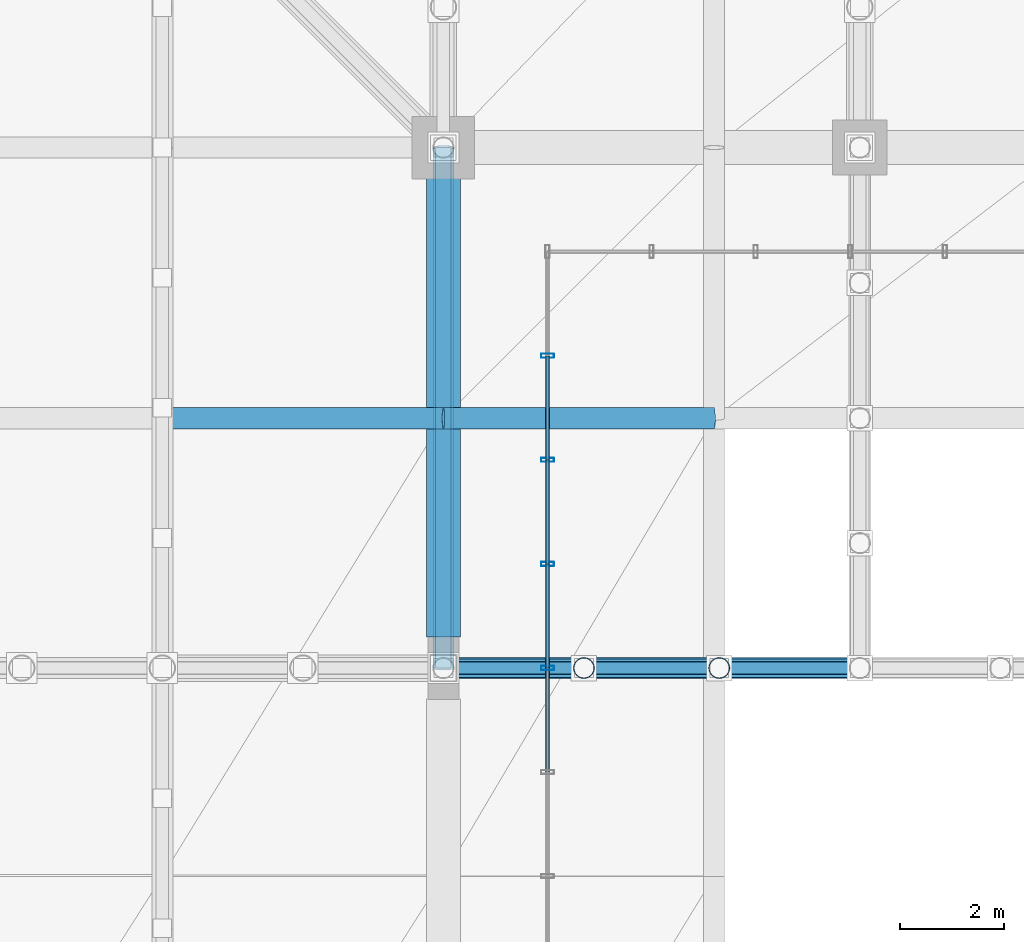
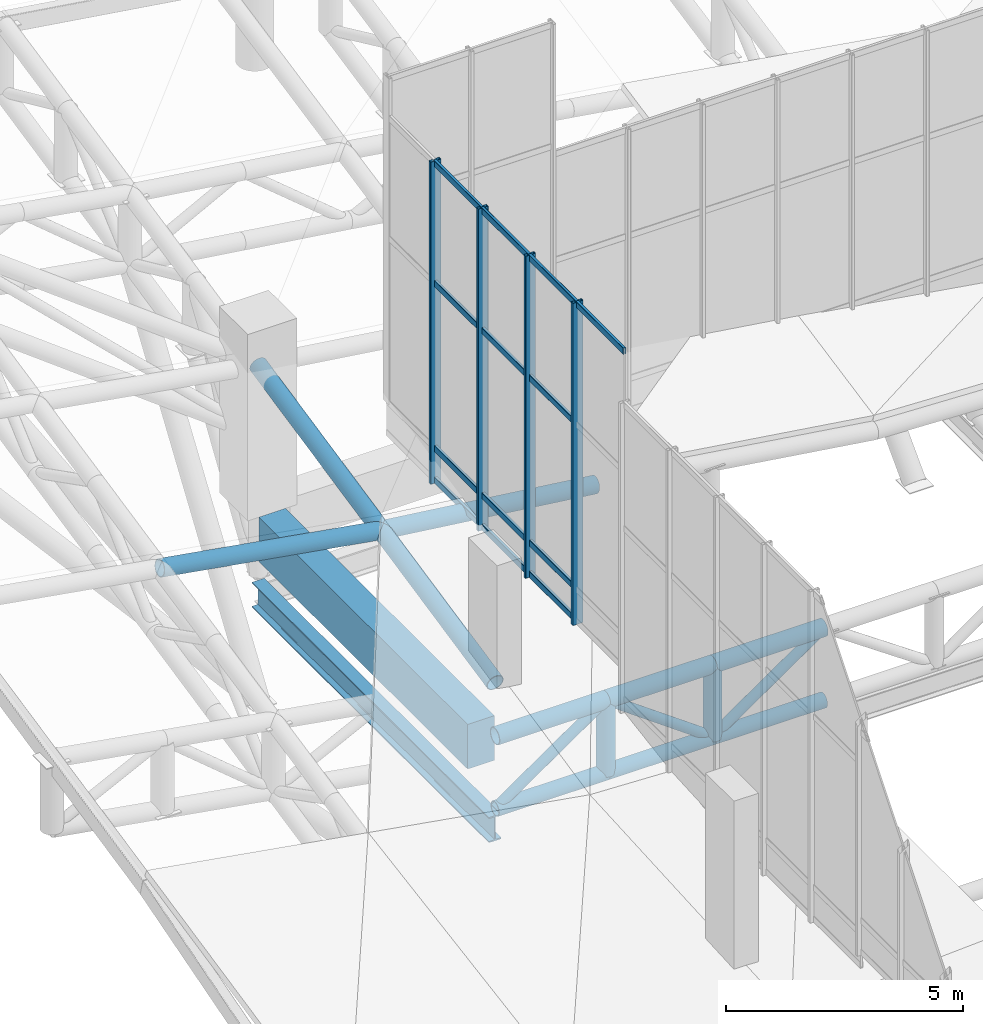
# One storey, part 39 of 137: 31 members, 2 beams, 1 element without a shape of its own.
"""IFC4 building model written with IfcOpenShell, lengths in metres."""

from ifc_helpers import new_model, si_unit, direction, frame, origin, origin_2d, place, context, subcontext, project, spatial, rectangle, hollow_rectangle, hollow_circle, i_section, extrude, material, layer, layer_set, material_profile, profile_set, type_object, element, aggregate, save


model = new_model("IFC4")

# Units and contexts
model_context = context("Model", 3, precision=1e-05, world=origin(), true_north=direction((0.0, 1.0)))
body_context = subcontext(model_context, "Body", "Model", "MODEL_VIEW")
ifc_project = project(units=[si_unit("LENGTHUNIT", "METRE"), si_unit("AREAUNIT", "SQUARE_METRE"), si_unit("VOLUMEUNIT", "CUBIC_METRE"), si_unit("PLANEANGLEUNIT", "RADIAN"), si_unit("MASSUNIT", "GRAM", prefix="KILO")], contexts=[model_context])

# Site, building, storey
site_placement = place(None, origin())
site = spatial("IfcSite", under=ifc_project, at=site_placement, CompositionType="ELEMENT")
building_placement = place(site_placement, origin())
building = spatial("IfcBuilding", under=site, at=building_placement, Name="Khorjan Park Terminus", CompositionType="ELEMENT")
storey_placement = place(building_placement, frame((0.0, 0.0, 11.4)))
storey = spatial("IfcBuildingStorey", under=building, at=storey_placement, Name="L02", CompositionType="ELEMENT", Elevation=11.4)

# Members
ifc_material_1 = material(Name="Steel S355", Category="steel")
ifc_material_profile_1 = material_profile(ifc_material_1, hollow_circle(Radius=0.1222, WallThickness=0.0125, at=origin_2d()), Name="CHS 244.5x12.5")
ifc_profile_set_1 = profile_set([ifc_material_profile_1], Name="Steel S355")
member_type_1 = type_object("IfcMemberType", Name="MB-BR-245", PredefinedType="BRACE", material=ifc_profile_set_1)
member_1_placement = place(storey_placement, frame((48.0, 78.0, -1.92), z_axis=(0.822082565391, 0.0, 0.569368295289), x_axis=(0.0, 1.0, 0.0)))
element("IfcMember", 1, at=member_1_placement, inside=storey, type_object=member_type_1, Name="Lower shell W/E truss diagonal (W4)", PredefinedType="BRACE", context=body_context, shape_type="SweptSolid", body=[
    extrude(hollow_circle(Radius=0.1222, WallThickness=0.0125, at=origin_2d()), origin(), (0.0, 0.0, 1.0), 3.2843),
])
member_2_placement = place(storey_placement, frame((50.7, 78.0, -0.05), z_axis=(0.811830357573, 0.0, -0.583893372562), x_axis=(0.0, 1.0, 0.0)))
element("IfcMember", 2, at=member_2_placement, inside=storey, type_object=member_type_1, Name="Lower shell W/E truss diagonal (W4)", PredefinedType="BRACE", context=body_context, shape_type="SweptSolid", body=[
    extrude(hollow_circle(Radius=0.1222, WallThickness=0.0125, at=origin_2d()), origin(), (0.0, 0.0, 1.0), 3.2026),
])
member_3_placement = place(storey_placement, frame((53.3, 78.0, -1.92), z_axis=(0.822082565391, 0.0, 0.569368295289), x_axis=(0.0, 1.0, 0.0)))
element("IfcMember", 3, at=member_3_placement, inside=storey, type_object=member_type_1, Name="Lower shell W/E truss diagonal (W4)", PredefinedType="BRACE", context=body_context, shape_type="SweptSolid", body=[
    extrude(hollow_circle(Radius=0.1222, WallThickness=0.0125, at=origin_2d()), origin(), (0.0, 0.0, 1.0), 3.2843),
])
ifc_material_profile_2 = material_profile(ifc_material_1, hollow_circle(Radius=0.1778, WallThickness=0.016, at=origin_2d()), Name="CHS 355.6x16")
ifc_profile_set_2 = profile_set([ifc_material_profile_2], Name="Steel S355")
member_type_2 = type_object("IfcMemberType", Name="MB-CH-356", PredefinedType="CHORD", material=ifc_profile_set_2)
member_4_placement = place(storey_placement, frame((48.0, 78.0, -1.92), z_axis=(1.0, 0.0, 0.0), x_axis=(0.0, 1.0, 0.0)))
element("IfcMember", 4, at=member_4_placement, inside=storey, type_object=member_type_2, Name="Lower shell W/E truss bottom chord (W4)", PredefinedType="CHORD", context=body_context, shape_type="SweptSolid", body=[
    extrude(hollow_circle(Radius=0.1778, WallThickness=0.016, at=origin_2d()), origin(), (0.0, 0.0, 1.0), 2.7),
])
member_5_placement = place(storey_placement, frame((50.7, 78.0, -1.92), z_axis=(1.0, 0.0, 0.0), x_axis=(0.0, 1.0, 0.0)))
element("IfcMember", 5, at=member_5_placement, inside=storey, type_object=member_type_2, Name="Lower shell W/E truss bottom chord (W4)", PredefinedType="CHORD", context=body_context, shape_type="SweptSolid", body=[
    extrude(hollow_circle(Radius=0.1778, WallThickness=0.016, at=origin_2d()), origin(), (0.0, 0.0, 1.0), 2.6),
])
member_6_placement = place(storey_placement, frame((53.3, 78.0, -1.92), z_axis=(1.0, 0.0, 0.0), x_axis=(0.0, 1.0, 0.0)))
element("IfcMember", 6, at=member_6_placement, inside=storey, type_object=member_type_2, Name="Lower shell W/E truss bottom chord (W4)", PredefinedType="CHORD", context=body_context, shape_type="SweptSolid", body=[
    extrude(hollow_circle(Radius=0.1778, WallThickness=0.016, at=origin_2d()), origin(), (0.0, 0.0, 1.0), 2.7),
])
ifc_material_profile_3 = material_profile(ifc_material_1, hollow_circle(Radius=0.2032, WallThickness=0.016, at=origin_2d()), Name="CHS 406.4x16")
ifc_profile_set_3 = profile_set([ifc_material_profile_3], Name="Steel S355")
member_type_3 = type_object("IfcMemberType", Name="MB-CH-406", PredefinedType="CHORD", material=ifc_profile_set_3)
member_7_placement = place(storey_placement, frame((48.0, 82.8, 2.3432), z_axis=(0.992378547218, 0.0, -0.123226697681), x_axis=(0.0, 1.0, 0.0)))
element("IfcMember", 7, at=member_7_placement, inside=storey, type_object=member_type_3, Name="Lower wrapping shell rim chord (91)", PredefinedType="CHORD", context=body_context, shape_type="SweptSolid", body=[
    extrude(hollow_circle(Radius=0.2032, WallThickness=0.016, at=origin_2d()), origin(), (0.0, 0.0, 1.0), 5.2399),
])
member_8_placement = place(storey_placement, frame((48.0, 78.0, -0.05), z_axis=(1.0, 0.0, 0.0), x_axis=(0.0, 1.0, 0.0)))
element("IfcMember", 8, at=member_8_placement, inside=storey, type_object=member_type_3, Name="Lower shell W/E truss top chord (W4)", PredefinedType="CHORD", context=body_context, shape_type="SweptSolid", body=[
    extrude(hollow_circle(Radius=0.2032, WallThickness=0.016, at=origin_2d()), origin(), (0.0, 0.0, 1.0), 2.7),
])
member_9_placement = place(storey_placement, frame((50.7, 78.0, -0.05), z_axis=(1.0, 0.0, 0.0), x_axis=(0.0, 1.0, 0.0)))
element("IfcMember", 9, at=member_9_placement, inside=storey, type_object=member_type_3, Name="Lower shell W/E truss top chord (W4)", PredefinedType="CHORD", context=body_context, shape_type="SweptSolid", body=[
    extrude(hollow_circle(Radius=0.2032, WallThickness=0.016, at=origin_2d()), origin(), (0.0, 0.0, 1.0), 2.6),
])
member_10_placement = place(storey_placement, frame((53.3, 78.0, -0.05), z_axis=(1.0, 0.0, 0.0), x_axis=(0.0, 1.0, 0.0)))
element("IfcMember", 10, at=member_10_placement, inside=storey, type_object=member_type_3, Name="Lower shell W/E truss top chord (W4)", PredefinedType="CHORD", context=body_context, shape_type="SweptSolid", body=[
    extrude(hollow_circle(Radius=0.2032, WallThickness=0.016, at=origin_2d()), origin(), (0.0, 0.0, 1.0), 2.7),
])
ifc_material_profile_4 = material_profile(ifc_material_1, hollow_circle(Radius=0.2032, WallThickness=0.016, at=origin_2d()), Name="CHS 406.4x16")
ifc_profile_set_4 = profile_set([ifc_material_profile_4], Name="Steel S355")
member_type_4 = type_object("IfcMemberType", Name="MB-CHE-406", PredefinedType="CHORD", material=ifc_profile_set_4)
member_11_placement = place(storey_placement, frame((42.6, 82.8, 3.2593), z_axis=(0.985913104802, 0.0, -0.167258332465), x_axis=(0.0, 1.0, 0.0)))
element("IfcMember", 11, at=member_11_placement, inside=storey, type_object=member_type_4, Name="Lower wrapping shell rim chord (90)", PredefinedType="CHORD", context=body_context, shape_type="SweptSolid", body=[
    extrude(hollow_circle(Radius=0.2032, WallThickness=0.016, at=origin_2d()), origin(), (0.0, 0.0, 1.0), 5.4772),
])
member_12_placement = place(storey_placement, frame((48.0, 78.0, 1.3242), z_axis=(0.0, 0.978200597368, 0.207662204815), x_axis=(-1.0, 0.0, 0.0)))
element("IfcMember", 12, at=member_12_placement, inside=storey, type_object=member_type_4, Name="Lower wrapping shell rim chord (123)", PredefinedType="CHORD", context=body_context, shape_type="SweptSolid", body=[
    extrude(hollow_circle(Radius=0.2032, WallThickness=0.016, at=origin_2d()), origin(), (0.0, 0.0, 1.0), 10.2229),
])
ifc_material_profile_5 = material_profile(ifc_material_1, hollow_circle(Radius=0.2032, WallThickness=0.016, at=origin_2d()), Name="CHS 406.4x16")
ifc_profile_set_5 = profile_set([ifc_material_profile_5], Name="Steel S355")
member_type_5 = type_object("IfcMemberType", Name="MB-ST-406", PredefinedType="STRUT", material=ifc_profile_set_5)
for number, where, z_axis, x_axis, name in (
    (13, (50.7, 78.0, -1.92), (0.0, 0.0, 1.0), (1.0, 0.0, 0.0), "Lower shell W/E truss post (W4)"),
    (14, (53.3, 78.0, -1.92), (0.0, 0.0, 1.0), (1.0, 0.0, 0.0), "Lower shell W/E truss post (W4)"),
):
    element("IfcMember", number, at=place(storey_placement, frame(where, z_axis=z_axis, x_axis=x_axis)), inside=storey, type_object=member_type_5, Name=name, PredefinedType="STRUT", context=body_context, shape_type="SweptSolid", body=[
        extrude(hollow_circle(Radius=0.2032, WallThickness=0.016, at=origin_2d()), origin(), (0.0, 0.0, 1.0), 1.87),
    ])

# Curtain wall, members
ifc_material_2 = material(Name="Anodized Bronze Aluminium", Category="aluminium")
ifc_layer = layer(ifc_material_2, 0.22)
ifc_layer_set = layer_set([ifc_layer], Name="Anodized Bronze Aluminium")
curtain_wall_type = type_object("IfcCurtainWallType", Name="CW-CONC-CLR", PredefinedType="NOTDEFINED", material=ifc_layer_set)
curtain_wall_placement = place(storey_placement, origin())
curtain_wall = element("IfcCurtainWall", 15, at=curtain_wall_placement, inside=storey, type_object=curtain_wall_type, Name="Unitized curtain wall CW-CL (CW-V2-W-CLR-05)", PredefinedType="NOTDEFINED")
ifc_material_profile_6 = material_profile(ifc_material_2, hollow_rectangle(XDim=0.08, YDim=0.25, WallThickness=0.005, InnerFilletRadius=0.005, OuterFilletRadius=0.01, at=origin_2d()), Name="ALM 80x250x5")
ifc_profile_set_6 = profile_set([ifc_material_profile_6], Name="Anodized Bronze Aluminium")
member_type_6 = type_object("IfcMemberType", Name="ML-ALM-250", PredefinedType="MULLION", material=ifc_profile_set_6)
member_13_placement = place(storey_placement, frame((50.0, 84.0, 2.1592), z_axis=(0.0, 0.0, 1.0), x_axis=(0.0, -1.0, 0.0)))
member_13 = element("IfcMember", 16, at=member_13_placement, type_object=member_type_6, Name="Curtain-wall mullion ML-25 (CW-V2-W-CLR-05-1)", PredefinedType="MULLION", context=body_context, shape_type="SweptSolid", body=[
    extrude(hollow_rectangle(XDim=0.08, YDim=0.25, WallThickness=0.005, InnerFilletRadius=0.005, OuterFilletRadius=0.01, at=origin_2d()), origin(), (0.0, 0.0, 1.0), 8.2986),
])
member_14_placement = place(storey_placement, frame((50.0, 82.0, 2.1592), z_axis=(0.0, 0.0, 1.0), x_axis=(0.0, -1.0, 0.0)))
member_14 = element("IfcMember", 17, at=member_14_placement, type_object=member_type_6, Name="Curtain-wall mullion ML-25 (CW-V2-W-CLR-05-2)", PredefinedType="MULLION", context=body_context, shape_type="SweptSolid", body=[
    extrude(hollow_rectangle(XDim=0.08, YDim=0.25, WallThickness=0.005, InnerFilletRadius=0.005, OuterFilletRadius=0.01, at=origin_2d()), origin(), (0.0, 0.0, 1.0), 8.2986),
])
member_15_placement = place(storey_placement, frame((50.0, 80.0, 2.1592), z_axis=(0.0, 0.0, 1.0), x_axis=(0.0, -1.0, 0.0)))
member_15 = element("IfcMember", 18, at=member_15_placement, type_object=member_type_6, Name="Curtain-wall mullion ML-25 (CW-V2-W-CLR-05-3)", PredefinedType="MULLION", context=body_context, shape_type="SweptSolid", body=[
    extrude(hollow_rectangle(XDim=0.08, YDim=0.25, WallThickness=0.005, InnerFilletRadius=0.005, OuterFilletRadius=0.01, at=origin_2d()), origin(), (0.0, 0.0, 1.0), 8.2986),
])
member_16_placement = place(storey_placement, frame((50.0, 78.0, 2.1592), z_axis=(0.0, 0.0, 1.0), x_axis=(0.0, -1.0, 0.0)))
member_16 = element("IfcMember", 19, at=member_16_placement, type_object=member_type_6, Name="Curtain-wall mullion ML-25 (CW-V2-W-CLR-05-4)", PredefinedType="MULLION", context=body_context, shape_type="SweptSolid", body=[
    extrude(hollow_rectangle(XDim=0.08, YDim=0.25, WallThickness=0.005, InnerFilletRadius=0.005, OuterFilletRadius=0.01, at=origin_2d()), origin(), (0.0, 0.0, 1.0), 8.2986),
])

# Beams
ifc_material_profile_7 = material_profile(ifc_material_1, i_section(OverallWidth=0.3, OverallDepth=0.65, WebThickness=0.016, FlangeThickness=0.031, FilletRadius=0.027, at=origin_2d()), Name="HEB 650")
ifc_profile_set_7 = profile_set([ifc_material_profile_7], Name="Steel S355")
beam_type_1 = type_object("IfcBeamType", Name="SP-HEB650E", PredefinedType="SPANDREL", material=ifc_profile_set_7)
beam_1_placement = place(storey_placement, frame((48.0, 78.0, -2.425), z_axis=(0.0, 1.0, 0.0), x_axis=(-1.0, 0.0, 0.0)))
element("IfcBeam", 20, at=beam_1_placement, inside=storey, type_object=beam_type_1, Name="Lower shell truss support girder SP-E65 (Y38)", PredefinedType="SPANDREL", context=body_context, shape_type="SweptSolid", body=[
    extrude(i_section(OverallWidth=0.3, OverallDepth=0.65, WebThickness=0.016, FlangeThickness=0.031, FilletRadius=0.027, at=origin_2d()), origin(), (0.0, 0.0, 1.0), 10.0),
])
ifc_material_3 = material(Name="Concrete C50/60", Category="concrete")
ifc_material_profile_8 = material_profile(ifc_material_3, rectangle(XDim=0.65, YDim=1.15, at=origin_2d()), Name="RC 650x1150")
ifc_profile_set_8 = profile_set([ifc_material_profile_8], Name="Concrete C50/60")
beam_type_2 = type_object("IfcBeamType", Name="SP-RC650x1150", PredefinedType="SPANDREL", material=ifc_profile_set_8)
beam_2_placement = place(storey_placement, frame((48.0, 78.595, -0.575), z_axis=(0.0, 1.0, 0.0), x_axis=(-1.0, 0.0, 0.0)))
element("IfcBeam", 21, at=beam_2_placement, inside=storey, type_object=beam_type_2, Name="Concourse lower colonnade ring beam SP-11 (L02-71)", PredefinedType="SPANDREL", context=body_context, shape_type="SweptSolid", body=[
    extrude(rectangle(XDim=0.65, YDim=1.15, at=origin_2d()), origin(), (0.0, 0.0, 1.0), 8.81),
])

# Member
ifc_material_profile_9 = material_profile(ifc_material_2, hollow_rectangle(XDim=0.07, YDim=0.16, WallThickness=0.004, InnerFilletRadius=0.004, OuterFilletRadius=0.008, at=origin_2d()), Name="ALT 70x160x4")
ifc_profile_set_9 = profile_set([ifc_material_profile_9], Name="Anodized Bronze Aluminium")
member_type_7 = type_object("IfcMemberType", Name="TR-ALT-160", PredefinedType="USERDEFINED", material=ifc_profile_set_9)
member_17_placement = place(storey_placement, frame((50.0, 84.0, 2.2342), z_axis=(0.0, -1.0, 0.0), x_axis=(1.0, 0.0, 0.0)))
member_17 = element("IfcMember", 22, at=member_17_placement, type_object=member_type_7, Name="Curtain-wall transom TR-16 (CW-V2-W-CLR-05-1-1)", ObjectType="TRANSOM", PredefinedType="USERDEFINED", context=body_context, shape_type="SweptSolid", body=[
    extrude(hollow_rectangle(XDim=0.07, YDim=0.16, WallThickness=0.004, InnerFilletRadius=0.004, OuterFilletRadius=0.008, at=origin_2d()), origin(), (0.0, 0.0, 1.0), 2.0),
])

member_18_placement = place(storey_placement, frame((50.0, 84.0, 3.0442), z_axis=(0.0, -1.0, 0.0), x_axis=(1.0, 0.0, 0.0)))
member_18 = element("IfcMember", 23, at=member_18_placement, type_object=member_type_7, Name="Curtain-wall transom TR-16 (CW-V2-W-CLR-05-1-2)", ObjectType="TRANSOM", PredefinedType="USERDEFINED", context=body_context, shape_type="SweptSolid", body=[
    extrude(hollow_rectangle(XDim=0.07, YDim=0.16, WallThickness=0.004, InnerFilletRadius=0.004, OuterFilletRadius=0.008, at=origin_2d()), origin(), (0.0, 0.0, 1.0), 2.0),
])

member_19_placement = place(storey_placement, frame((50.0, 84.0, 7.2959), z_axis=(0.0, -1.0, 0.0), x_axis=(1.0, 0.0, 0.0)))
member_19 = element("IfcMember", 24, at=member_19_placement, type_object=member_type_7, Name="Curtain-wall transom TR-16 (CW-V2-W-CLR-05-1-3)", ObjectType="TRANSOM", PredefinedType="USERDEFINED", context=body_context, shape_type="SweptSolid", body=[
    extrude(hollow_rectangle(XDim=0.07, YDim=0.16, WallThickness=0.004, InnerFilletRadius=0.004, OuterFilletRadius=0.008, at=origin_2d()), origin(), (0.0, 0.0, 1.0), 2.0),
])

member_20_placement = place(storey_placement, frame((50.0, 84.0, 10.3828), z_axis=(0.0, -1.0, 0.0), x_axis=(1.0, 0.0, 0.0)))
member_20 = element("IfcMember", 25, at=member_20_placement, type_object=member_type_7, Name="Curtain-wall transom TR-16 (CW-V2-W-CLR-05-1-4)", ObjectType="TRANSOM", PredefinedType="USERDEFINED", context=body_context, shape_type="SweptSolid", body=[
    extrude(hollow_rectangle(XDim=0.07, YDim=0.16, WallThickness=0.004, InnerFilletRadius=0.004, OuterFilletRadius=0.008, at=origin_2d()), origin(), (0.0, 0.0, 1.0), 2.0),
])

member_21_placement = place(storey_placement, frame((50.0, 82.0, 2.2342), z_axis=(0.0, -1.0, 0.0), x_axis=(1.0, 0.0, 0.0)))
member_21 = element("IfcMember", 26, at=member_21_placement, type_object=member_type_7, Name="Curtain-wall transom TR-16 (CW-V2-W-CLR-05-2-1)", ObjectType="TRANSOM", PredefinedType="USERDEFINED", context=body_context, shape_type="SweptSolid", body=[
    extrude(hollow_rectangle(XDim=0.07, YDim=0.16, WallThickness=0.004, InnerFilletRadius=0.004, OuterFilletRadius=0.008, at=origin_2d()), origin(), (0.0, 0.0, 1.0), 2.0),
])

member_22_placement = place(storey_placement, frame((50.0, 82.0, 3.0442), z_axis=(0.0, -1.0, 0.0), x_axis=(1.0, 0.0, 0.0)))
member_22 = element("IfcMember", 27, at=member_22_placement, type_object=member_type_7, Name="Curtain-wall transom TR-16 (CW-V2-W-CLR-05-2-2)", ObjectType="TRANSOM", PredefinedType="USERDEFINED", context=body_context, shape_type="SweptSolid", body=[
    extrude(hollow_rectangle(XDim=0.07, YDim=0.16, WallThickness=0.004, InnerFilletRadius=0.004, OuterFilletRadius=0.008, at=origin_2d()), origin(), (0.0, 0.0, 1.0), 2.0),
])

member_23_placement = place(storey_placement, frame((50.0, 82.0, 7.2959), z_axis=(0.0, -1.0, 0.0), x_axis=(1.0, 0.0, 0.0)))
member_23 = element("IfcMember", 28, at=member_23_placement, type_object=member_type_7, Name="Curtain-wall transom TR-16 (CW-V2-W-CLR-05-2-3)", ObjectType="TRANSOM", PredefinedType="USERDEFINED", context=body_context, shape_type="SweptSolid", body=[
    extrude(hollow_rectangle(XDim=0.07, YDim=0.16, WallThickness=0.004, InnerFilletRadius=0.004, OuterFilletRadius=0.008, at=origin_2d()), origin(), (0.0, 0.0, 1.0), 2.0),
])

member_24_placement = place(storey_placement, frame((50.0, 82.0, 10.3828), z_axis=(0.0, -1.0, 0.0), x_axis=(1.0, 0.0, 0.0)))
member_24 = element("IfcMember", 29, at=member_24_placement, type_object=member_type_7, Name="Curtain-wall transom TR-16 (CW-V2-W-CLR-05-2-4)", ObjectType="TRANSOM", PredefinedType="USERDEFINED", context=body_context, shape_type="SweptSolid", body=[
    extrude(hollow_rectangle(XDim=0.07, YDim=0.16, WallThickness=0.004, InnerFilletRadius=0.004, OuterFilletRadius=0.008, at=origin_2d()), origin(), (0.0, 0.0, 1.0), 2.0),
])

member_25_placement = place(storey_placement, frame((50.0, 80.0, 2.2342), z_axis=(0.0, -1.0, 0.0), x_axis=(1.0, 0.0, 0.0)))
member_25 = element("IfcMember", 30, at=member_25_placement, type_object=member_type_7, Name="Curtain-wall transom TR-16 (CW-V2-W-CLR-05-3-1)", ObjectType="TRANSOM", PredefinedType="USERDEFINED", context=body_context, shape_type="SweptSolid", body=[
    extrude(hollow_rectangle(XDim=0.07, YDim=0.16, WallThickness=0.004, InnerFilletRadius=0.004, OuterFilletRadius=0.008, at=origin_2d()), origin(), (0.0, 0.0, 1.0), 2.0),
])

member_26_placement = place(storey_placement, frame((50.0, 80.0, 3.0442), z_axis=(0.0, -1.0, 0.0), x_axis=(1.0, 0.0, 0.0)))
member_26 = element("IfcMember", 31, at=member_26_placement, type_object=member_type_7, Name="Curtain-wall transom TR-16 (CW-V2-W-CLR-05-3-2)", ObjectType="TRANSOM", PredefinedType="USERDEFINED", context=body_context, shape_type="SweptSolid", body=[
    extrude(hollow_rectangle(XDim=0.07, YDim=0.16, WallThickness=0.004, InnerFilletRadius=0.004, OuterFilletRadius=0.008, at=origin_2d()), origin(), (0.0, 0.0, 1.0), 2.0),
])

member_27_placement = place(storey_placement, frame((50.0, 80.0, 7.2959), z_axis=(0.0, -1.0, 0.0), x_axis=(1.0, 0.0, 0.0)))
member_27 = element("IfcMember", 32, at=member_27_placement, type_object=member_type_7, Name="Curtain-wall transom TR-16 (CW-V2-W-CLR-05-3-3)", ObjectType="TRANSOM", PredefinedType="USERDEFINED", context=body_context, shape_type="SweptSolid", body=[
    extrude(hollow_rectangle(XDim=0.07, YDim=0.16, WallThickness=0.004, InnerFilletRadius=0.004, OuterFilletRadius=0.008, at=origin_2d()), origin(), (0.0, 0.0, 1.0), 2.0),
])

member_28_placement = place(storey_placement, frame((50.0, 80.0, 10.3828), z_axis=(0.0, -1.0, 0.0), x_axis=(1.0, 0.0, 0.0)))
member_28 = element("IfcMember", 33, at=member_28_placement, type_object=member_type_7, Name="Curtain-wall transom TR-16 (CW-V2-W-CLR-05-3-4)", ObjectType="TRANSOM", PredefinedType="USERDEFINED", context=body_context, shape_type="SweptSolid", body=[
    extrude(hollow_rectangle(XDim=0.07, YDim=0.16, WallThickness=0.004, InnerFilletRadius=0.004, OuterFilletRadius=0.008, at=origin_2d()), origin(), (0.0, 0.0, 1.0), 2.0),
])

member_29_placement = place(storey_placement, frame((50.0, 78.0, 10.3828), z_axis=(0.0, -1.0, 0.0), x_axis=(1.0, 0.0, 0.0)))
member_29 = element("IfcMember", 34, at=member_29_placement, type_object=member_type_7, Name="Curtain-wall transom TR-16 (CW-V2-W-CLR-05-4-4)", ObjectType="TRANSOM", PredefinedType="USERDEFINED", context=body_context, shape_type="SweptSolid", body=[
    extrude(hollow_rectangle(XDim=0.07, YDim=0.16, WallThickness=0.004, InnerFilletRadius=0.004, OuterFilletRadius=0.008, at=origin_2d()), origin(), (0.0, 0.0, 1.0), 2.0),
])

aggregate(curtain_wall, [member_13, member_14, member_15, member_16, member_17, member_18, member_19, member_20, member_21, member_22, member_23, member_24, member_25, member_26, member_27, member_28, member_29])

save(model, "model.ifc")
